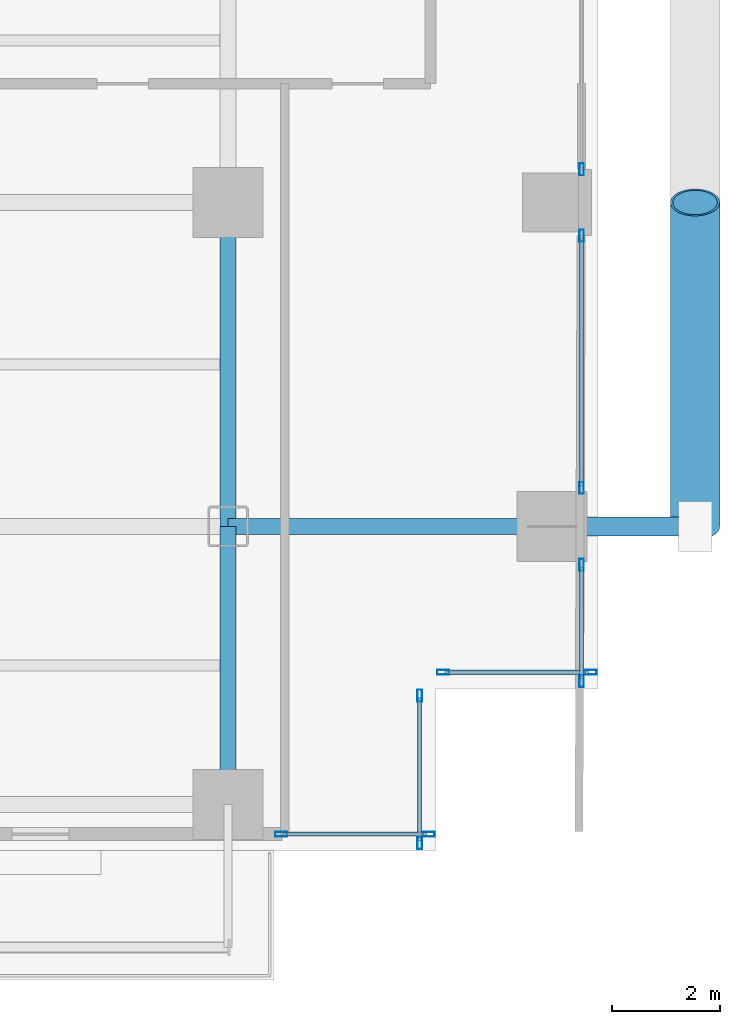
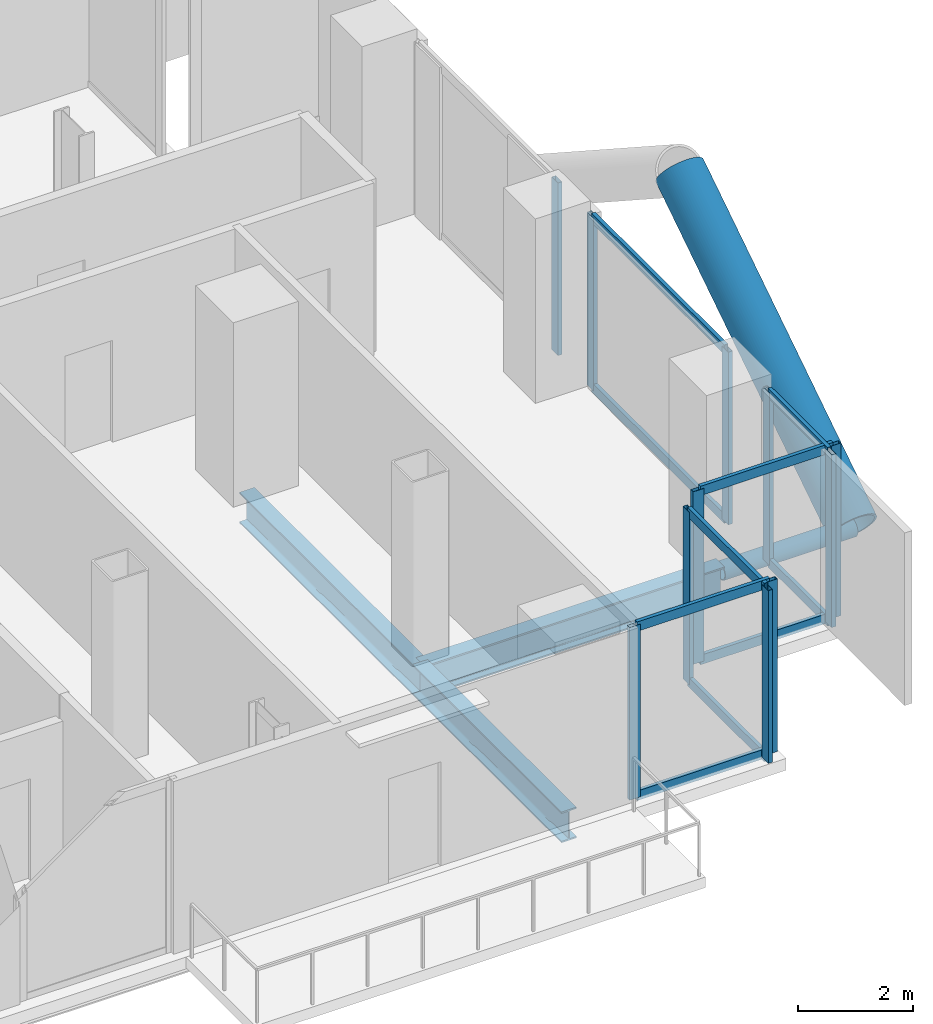
# One storey, part 10 of 27: 23 members, 3 beams, 6 elements without a shape of their own.
"""IFC4 building model written with IfcOpenShell, lengths in metres."""

from ifc_helpers import new_model, si_unit, direction, frame, origin, origin_2d, place, context, subcontext, project, spatial, hollow_rectangle, hollow_circle, i_section, extrude, material, layer, layer_set, material_profile, profile_set, type_object, element, aggregate, save


model = new_model("IFC4")

# Units and contexts
model_context = context("Model", 3, precision=1e-05, world=origin(), true_north=direction((0.0, 1.0)))
body_context = subcontext(model_context, "Body", "Model", "MODEL_VIEW")
ifc_project = project(units=[si_unit("LENGTHUNIT", "METRE"), si_unit("AREAUNIT", "SQUARE_METRE"), si_unit("VOLUMEUNIT", "CUBIC_METRE"), si_unit("PLANEANGLEUNIT", "RADIAN"), si_unit("MASSUNIT", "GRAM", prefix="KILO"), si_unit("THERMODYNAMICTEMPERATUREUNIT", "KELVIN"), si_unit("POWERUNIT", "WATT")], contexts=[model_context])

# Site, building, storey
site_placement = place(None, origin())
site = spatial("IfcSite", under=ifc_project, at=site_placement, CompositionType="ELEMENT")
building_placement = place(site_placement, origin())
building = spatial("IfcBuilding", under=site, at=building_placement, Name="Svarakhadi Broadcast Tower", CompositionType="ELEMENT")
storey_placement = place(building_placement, frame((0.0, 0.0, 55.800048828125)))
storey = spatial("IfcBuildingStorey", under=building, at=storey_placement, Name="L12", CompositionType="ELEMENT", Elevation=55.800048828125)

# Curtain wall, member
ifc_material_1 = material(Name="Anodised Bronze Aluminium AA 6063-T6", Category="aluminium")
ifc_layer = layer(ifc_material_1, 0.219970703125)
ifc_layer_set = layer_set([ifc_layer], Name="Anodised Bronze Aluminium AA 6063-T6")
curtain_wall_type = type_object("IfcCurtainWallType", Name="CW_Sys_02", PredefinedType="NOTDEFINED", material=ifc_layer_set)
curtain_wall_1_placement = place(storey_placement, origin())
curtain_wall_1 = element("IfcCurtainWall", 1, at=curtain_wall_1_placement, inside=storey, type_object=curtain_wall_type, Name="L12 Unitised Facade Curtain Wall 13 Bay 2", PredefinedType="NOTDEFINED")
ifc_material_profile_1 = material_profile(ifc_material_1, hollow_rectangle(XDim=0.0849609375, YDim=0.219970703125, WallThickness=0.006103515625, at=origin_2d()), Name="ALU MULLION 220x85x6")
ifc_profile_set_1 = profile_set([ifc_material_profile_1], Name="Anodised Bronze Aluminium AA 6063-T6")
member_type_1 = type_object("IfcMemberType", Name="CW_Sys_02_Mul", PredefinedType="MULLION", material=ifc_profile_set_1)
member_1_placement = place(storey_placement, frame((53.699951171875, 12.612548828125, 0.0), z_axis=(0.0, 0.0, 1.0), x_axis=(1.0, 0.0, 0.0)))
member_1 = element("IfcMember", 2, at=member_1_placement, type_object=member_type_1, Name="CW-02 mullion 2", PredefinedType="MULLION", context=body_context, shape_type="SweptSolid", body=[
    extrude(hollow_rectangle(XDim=0.0849609375, YDim=0.219970703125, WallThickness=0.006103515625, at=origin_2d()), origin(), (0.0, 0.0, 1.0), 3.64990234375),
])
aggregate(curtain_wall_1, [member_1])

# Curtain wall, members
curtain_wall_2_placement = place(storey_placement, origin())
curtain_wall_2 = element("IfcCurtainWall", 3, at=curtain_wall_2_placement, inside=storey, type_object=curtain_wall_type, Name="L12 Unitised Facade Curtain Wall 13 Bay 3", PredefinedType="NOTDEFINED")
member_2_placement = place(storey_placement, frame((53.699951171875, 11.387451171875, 0.0), z_axis=(0.0, 0.0, 1.0), x_axis=(1.0, 0.0, 0.0)))
member_2 = element("IfcMember", 4, at=member_2_placement, type_object=member_type_1, Name="CW-02 mullion 1", PredefinedType="MULLION", context=body_context, shape_type="SweptSolid", body=[
    extrude(hollow_rectangle(XDim=0.0849609375, YDim=0.219970703125, WallThickness=0.006103515625, at=origin_2d()), origin(), (0.0, 0.0, 1.0), 3.64990234375),
])
member_3_placement = place(storey_placement, frame((53.699951171875, 6.71240234375, 0.0), z_axis=(0.0, 0.0, 1.0), x_axis=(1.0, 0.0, 0.0)))
member_3 = element("IfcMember", 5, at=member_3_placement, type_object=member_type_1, Name="CW-02 mullion 2", PredefinedType="MULLION", context=body_context, shape_type="SweptSolid", body=[
    extrude(hollow_rectangle(XDim=0.0849609375, YDim=0.219970703125, WallThickness=0.006103515625, at=origin_2d()), origin(), (0.0, 0.0, 1.0), 3.64990234375),
])

curtain_wall_3_placement = place(storey_placement, origin())
curtain_wall_3 = element("IfcCurtainWall", 6, at=curtain_wall_3_placement, inside=storey, type_object=curtain_wall_type, Name="L12 Unitised Facade Curtain Wall 13 Bay 4", PredefinedType="NOTDEFINED")
member_4_placement = place(storey_placement, frame((53.699951171875, 5.28759765625, 0.0), z_axis=(0.0, 0.0, 1.0), x_axis=(1.0, 0.0, 0.0)))
member_4 = element("IfcMember", 7, at=member_4_placement, type_object=member_type_1, Name="CW-02 mullion 1", PredefinedType="MULLION", context=body_context, shape_type="SweptSolid", body=[
    extrude(hollow_rectangle(XDim=0.0849609375, YDim=0.219970703125, WallThickness=0.006103515625, at=origin_2d()), origin(), (0.0, 0.0, 1.0), 3.64990234375),
])
member_5_placement = place(storey_placement, frame((53.699951171875, 3.132568359375, 0.0), z_axis=(0.0, 0.0, 1.0), x_axis=(1.0, 0.0, 0.0)))
member_5 = element("IfcMember", 8, at=member_5_placement, type_object=member_type_1, Name="CW-02 mullion 2", PredefinedType="MULLION", context=body_context, shape_type="SweptSolid", body=[
    extrude(hollow_rectangle(XDim=0.0849609375, YDim=0.219970703125, WallThickness=0.006103515625, at=origin_2d()), origin(), (0.0, 0.0, 1.0), 3.64990234375),
])

curtain_wall_4_placement = place(storey_placement, origin())
curtain_wall_4 = element("IfcCurtainWall", 9, at=curtain_wall_4_placement, inside=storey, type_object=curtain_wall_type, Name="L12 Unitised Facade Curtain Wall 14", PredefinedType="NOTDEFINED")
member_6_placement = place(storey_placement, frame((53.867431640625, 3.300048828125, 0.0), z_axis=(0.0, 0.0, 1.0), x_axis=(0.0, -1.0, 0.0)))
member_6 = element("IfcMember", 10, at=member_6_placement, type_object=member_type_1, Name="CW-02 mullion 1", PredefinedType="MULLION", context=body_context, shape_type="SweptSolid", body=[
    extrude(hollow_rectangle(XDim=0.0849609375, YDim=0.219970703125, WallThickness=0.006103515625, at=origin_2d()), origin(), (0.0, 0.0, 1.0), 3.64990234375),
])
member_7_placement = place(storey_placement, frame((51.132568359375, 3.300048828125, 0.0), z_axis=(0.0, 0.0, 1.0), x_axis=(0.0, -1.0, 0.0)))
member_7 = element("IfcMember", 11, at=member_7_placement, type_object=member_type_1, Name="CW-02 mullion 2", PredefinedType="MULLION", context=body_context, shape_type="SweptSolid", body=[
    extrude(hollow_rectangle(XDim=0.0849609375, YDim=0.219970703125, WallThickness=0.006103515625, at=origin_2d()), origin(), (0.0, 0.0, 1.0), 3.64990234375),
])

curtain_wall_5_placement = place(storey_placement, origin())
curtain_wall_5 = element("IfcCurtainWall", 12, at=curtain_wall_5_placement, inside=storey, type_object=curtain_wall_type, Name="L12 Unitised Facade Curtain Wall 15", PredefinedType="NOTDEFINED")
member_8_placement = place(storey_placement, frame((50.699951171875, 2.867431640625, 0.0), z_axis=(0.0, 0.0, 1.0), x_axis=(1.0, 0.0, 0.0)))
member_8 = element("IfcMember", 13, at=member_8_placement, type_object=member_type_1, Name="CW-02 mullion 1", PredefinedType="MULLION", context=body_context, shape_type="SweptSolid", body=[
    extrude(hollow_rectangle(XDim=0.0849609375, YDim=0.219970703125, WallThickness=0.006103515625, at=origin_2d()), origin(), (0.0, 0.0, 1.0), 3.64990234375),
])
member_9_placement = place(storey_placement, frame((50.699951171875, 0.132568359375, 0.0), z_axis=(0.0, 0.0, 1.0), x_axis=(1.0, 0.0, 0.0)))
member_9 = element("IfcMember", 14, at=member_9_placement, type_object=member_type_1, Name="CW-02 mullion 2", PredefinedType="MULLION", context=body_context, shape_type="SweptSolid", body=[
    extrude(hollow_rectangle(XDim=0.0849609375, YDim=0.219970703125, WallThickness=0.006103515625, at=origin_2d()), origin(), (0.0, 0.0, 1.0), 3.64990234375),
])

curtain_wall_6_placement = place(storey_placement, origin())
curtain_wall_6 = element("IfcCurtainWall", 15, at=curtain_wall_6_placement, inside=storey, type_object=curtain_wall_type, Name="L12 South Curtain Wall 16", PredefinedType="NOTDEFINED")
member_10_placement = place(storey_placement, frame((50.867431640625, 0.300048828125, 0.0), z_axis=(0.0, 0.0, 1.0), x_axis=(0.0, -1.0, 0.0)))
member_10 = element("IfcMember", 16, at=member_10_placement, type_object=member_type_1, Name="CW-02 mullion 1", PredefinedType="MULLION", context=body_context, shape_type="SweptSolid", body=[
    extrude(hollow_rectangle(XDim=0.0849609375, YDim=0.219970703125, WallThickness=0.006103515625, at=origin_2d()), origin(), (0.0, 0.0, 1.0), 3.64990234375),
])
member_11_placement = place(storey_placement, frame((48.132568359375, 0.300048828125, 0.0), z_axis=(0.0, 0.0, 1.0), x_axis=(0.0, -1.0, 0.0)))
member_11 = element("IfcMember", 17, at=member_11_placement, type_object=member_type_1, Name="CW-02 mullion 2", PredefinedType="MULLION", context=body_context, shape_type="SweptSolid", body=[
    extrude(hollow_rectangle(XDim=0.0849609375, YDim=0.219970703125, WallThickness=0.006103515625, at=origin_2d()), origin(), (0.0, 0.0, 1.0), 3.64990234375),
])

# Member
ifc_material_profile_2 = material_profile(ifc_material_1, hollow_rectangle(XDim=0.074951171875, YDim=0.199951171875, WallThickness=0.0048828125, at=origin_2d()), Name="ALU TRANSOM 200x75x5")
ifc_profile_set_2 = profile_set([ifc_material_profile_2], Name="Anodised Bronze Aluminium AA 6063-T6")
member_type_2 = type_object("IfcMemberType", Name="CW_Sys_02_Trn", PredefinedType="USERDEFINED", material=ifc_profile_set_2)
member_12_placement = place(storey_placement, frame((53.699951171875, 11.344970703125, 0.037353515625), z_axis=(0.0, -1.0, 0.0), x_axis=(1.0, 0.0, 0.0)))
member_12 = element("IfcMember", 18, at=member_12_placement, type_object=member_type_2, Name="CW-02 transom 1.1", ObjectType="TRANSOM", PredefinedType="USERDEFINED", context=body_context, shape_type="SweptSolid", body=[
    extrude(hollow_rectangle(XDim=0.074951171875, YDim=0.199951171875, WallThickness=0.0048828125, at=origin_2d()), origin(), (0.0, 0.0, 1.0), 4.590087890625),
])

member_13_placement = place(storey_placement, frame((53.699951171875, 11.344970703125, 3.612548828125), z_axis=(0.0, -1.0, 0.0), x_axis=(1.0, 0.0, 0.0)))
member_13 = element("IfcMember", 19, at=member_13_placement, type_object=member_type_2, Name="CW-02 transom 1.2", ObjectType="TRANSOM", PredefinedType="USERDEFINED", context=body_context, shape_type="SweptSolid", body=[
    extrude(hollow_rectangle(XDim=0.074951171875, YDim=0.199951171875, WallThickness=0.0048828125, at=origin_2d()), origin(), (0.0, 0.0, 1.0), 4.590087890625),
])

aggregate(curtain_wall_2, [member_2, member_3, member_12, member_13])

member_14_placement = place(storey_placement, frame((53.699951171875, 5.2451171875, 0.037353515625), z_axis=(0.0, -1.0, 0.0), x_axis=(1.0, 0.0, 0.0)))
member_14 = element("IfcMember", 20, at=member_14_placement, type_object=member_type_2, Name="CW-02 transom 1.1", ObjectType="TRANSOM", PredefinedType="USERDEFINED", context=body_context, shape_type="SweptSolid", body=[
    extrude(hollow_rectangle(XDim=0.074951171875, YDim=0.199951171875, WallThickness=0.0048828125, at=origin_2d()), origin(), (0.0, 0.0, 1.0), 2.070068359375),
])

member_15_placement = place(storey_placement, frame((53.699951171875, 5.2451171875, 3.612548828125), z_axis=(0.0, -1.0, 0.0), x_axis=(1.0, 0.0, 0.0)))
member_15 = element("IfcMember", 21, at=member_15_placement, type_object=member_type_2, Name="CW-02 transom 1.2", ObjectType="TRANSOM", PredefinedType="USERDEFINED", context=body_context, shape_type="SweptSolid", body=[
    extrude(hollow_rectangle(XDim=0.074951171875, YDim=0.199951171875, WallThickness=0.0048828125, at=origin_2d()), origin(), (0.0, 0.0, 1.0), 2.070068359375),
])

aggregate(curtain_wall_3, [member_4, member_5, member_14, member_15])

member_16_placement = place(storey_placement, frame((53.824951171875, 3.300048828125, 0.037353515625), z_axis=(-1.0, 0.0, 0.0), x_axis=(0.0, -1.0, 0.0)))
member_16 = element("IfcMember", 22, at=member_16_placement, type_object=member_type_2, Name="CW-02 transom 1.1", ObjectType="TRANSOM", PredefinedType="USERDEFINED", context=body_context, shape_type="SweptSolid", body=[
    extrude(hollow_rectangle(XDim=0.074951171875, YDim=0.199951171875, WallThickness=0.0048828125, at=origin_2d()), origin(), (0.0, 0.0, 1.0), 2.64990234375),
])

member_17_placement = place(storey_placement, frame((53.824951171875, 3.300048828125, 3.612548828125), z_axis=(-1.0, 0.0, 0.0), x_axis=(0.0, -1.0, 0.0)))
member_17 = element("IfcMember", 23, at=member_17_placement, type_object=member_type_2, Name="CW-02 transom 1.2", ObjectType="TRANSOM", PredefinedType="USERDEFINED", context=body_context, shape_type="SweptSolid", body=[
    extrude(hollow_rectangle(XDim=0.074951171875, YDim=0.199951171875, WallThickness=0.0048828125, at=origin_2d()), origin(), (0.0, 0.0, 1.0), 2.64990234375),
])

aggregate(curtain_wall_4, [member_6, member_7, member_16, member_17])

member_18_placement = place(storey_placement, frame((50.699951171875, 2.824951171875, 0.037353515625), z_axis=(0.0, -1.0, 0.0), x_axis=(1.0, 0.0, 0.0)))
member_18 = element("IfcMember", 24, at=member_18_placement, type_object=member_type_2, Name="CW-02 transom 1.1", ObjectType="TRANSOM", PredefinedType="USERDEFINED", context=body_context, shape_type="SweptSolid", body=[
    extrude(hollow_rectangle(XDim=0.074951171875, YDim=0.199951171875, WallThickness=0.0048828125, at=origin_2d()), origin(), (0.0, 0.0, 1.0), 2.64990234375),
])

member_19_placement = place(storey_placement, frame((50.699951171875, 2.824951171875, 3.612548828125), z_axis=(0.0, -1.0, 0.0), x_axis=(1.0, 0.0, 0.0)))
member_19 = element("IfcMember", 25, at=member_19_placement, type_object=member_type_2, Name="CW-02 transom 1.2", ObjectType="TRANSOM", PredefinedType="USERDEFINED", context=body_context, shape_type="SweptSolid", body=[
    extrude(hollow_rectangle(XDim=0.074951171875, YDim=0.199951171875, WallThickness=0.0048828125, at=origin_2d()), origin(), (0.0, 0.0, 1.0), 2.64990234375),
])

aggregate(curtain_wall_5, [member_8, member_9, member_18, member_19])

member_20_placement = place(storey_placement, frame((50.824951171875, 0.300048828125, 0.037353515625), z_axis=(-1.0, 0.0, 0.0), x_axis=(0.0, -1.0, 0.0)))
member_20 = element("IfcMember", 26, at=member_20_placement, type_object=member_type_2, Name="CW-02 transom 1.1", ObjectType="TRANSOM", PredefinedType="USERDEFINED", context=body_context, shape_type="SweptSolid", body=[
    extrude(hollow_rectangle(XDim=0.074951171875, YDim=0.199951171875, WallThickness=0.0048828125, at=origin_2d()), origin(), (0.0, 0.0, 1.0), 2.64990234375),
])

member_21_placement = place(storey_placement, frame((50.824951171875, 0.300048828125, 3.612548828125), z_axis=(-1.0, 0.0, 0.0), x_axis=(0.0, -1.0, 0.0)))
member_21 = element("IfcMember", 27, at=member_21_placement, type_object=member_type_2, Name="CW-02 transom 1.2", ObjectType="TRANSOM", PredefinedType="USERDEFINED", context=body_context, shape_type="SweptSolid", body=[
    extrude(hollow_rectangle(XDim=0.074951171875, YDim=0.199951171875, WallThickness=0.0048828125, at=origin_2d()), origin(), (0.0, 0.0, 1.0), 2.64990234375),
])

aggregate(curtain_wall_6, [member_10, member_11, member_20, member_21])

# Members
ifc_material_2 = material(Name="Steel S460ML (IS 2062 E450BR)", Category="steel")
ifc_material_profile_3 = material_profile(ifc_material_2, hollow_circle(Radius=0.45703125, WallThickness=0.044921875, at=origin_2d()), Name="CHS 914x45")
ifc_profile_set_3 = profile_set([ifc_material_profile_3], Name="Steel S460ML (IS 2062 E450BR)")
member_type_3 = type_object("IfcMemberType", Name="Exo_Brace_CHS914", PredefinedType="BRACE", material=ifc_profile_set_3)
member_22_placement = place(storey_placement, frame((55.800048828125, 6.0, -0.427734375), z_axis=(0.0, 0.838449851971, 0.544978757136), x_axis=(-1.0, 0.0, 0.0)))
element("IfcMember", 28, at=member_22_placement, inside=storey, type_object=member_type_3, Name="L12 Exposed Bronze Exoskeleton Diagonal E10", PredefinedType="BRACE", context=body_context, shape_type="SweptSolid", body=[
    extrude(hollow_circle(Radius=0.45703125, WallThickness=0.044921875, at=origin_2d()), origin(), (0.0, 0.0, 1.0), 7.156005859375),
])
ifc_material_profile_4 = material_profile(ifc_material_2, hollow_circle(Radius=0.177734375, WallThickness=0.02001953125, at=origin_2d()), Name="CHS 355.6x20")
ifc_profile_set_4 = profile_set([ifc_material_profile_4], Name="Steel S460ML (IS 2062 E450BR)")
member_type_4 = type_object("IfcMemberType", Name="Exo_Radial_Strut_Z1", PredefinedType="STRUT", material=ifc_profile_set_4)
member_23_placement = place(storey_placement, frame((55.800048828125, 6.0, -0.427734375), z_axis=(-1.0, 0.0, 0.0), x_axis=(0.0, -1.0, 0.0)))
element("IfcMember", 29, at=member_23_placement, inside=storey, type_object=member_type_4, Name="L12 Exoskeleton Radial Tie Strut E09", PredefinedType="STRUT", context=body_context, shape_type="SweptSolid", body=[
    extrude(hollow_circle(Radius=0.177734375, WallThickness=0.02001953125, at=origin_2d()), origin(), (0.0, 0.0, 1.0), 2.650146484375),
])

# Beams
ifc_material_3 = material(Name="Steel S355J2 (IS 2062 E350C)", Category="steel")
ifc_material_profile_5 = material_profile(ifc_material_3, i_section(OverallWidth=0.300048828125, OverallDepth=0.64990234375, WebThickness=0.01611328125, FlangeThickness=0.031005859375, FilletRadius=0.027099609375, at=origin_2d()), Name="WPB 650x300x225")
ifc_profile_set_5 = profile_set([ifc_material_profile_5], Name="Steel S355J2 (IS 2062 E350C)")
beam_type = type_object("IfcBeamType", Name="Girder_WPB650", PredefinedType="USERDEFINED", material=ifc_profile_set_5)
beam_1_placement = place(storey_placement, frame((47.14990234375, 6.0, -0.574951171875), z_axis=(1.0, 0.0, 0.0), x_axis=(0.0, 1.0, 0.0)))
element("IfcBeam", 30, at=beam_1_placement, inside=storey, type_object=beam_type, Name="L12 Primary E-W Girder G018", ObjectType="GIRDER", PredefinedType="USERDEFINED", context=body_context, shape_type="SweptSolid", body=[
    extrude(i_section(OverallWidth=0.300048828125, OverallDepth=0.64990234375, WebThickness=0.01611328125, FlangeThickness=0.031005859375, FilletRadius=0.027099609375, at=origin_2d()), origin(), (0.0, 0.0, 1.0), 6.0),
])
beam_2_placement = place(storey_placement, frame((47.14990234375, 0.85009765625, -0.574951171875), z_axis=(0.0, 1.0, 0.0), x_axis=(-1.0, 0.0, 0.0)))
element("IfcBeam", 31, at=beam_2_placement, inside=storey, type_object=beam_type, Name="L12 Primary N-S Girder G082", ObjectType="GIRDER", PredefinedType="USERDEFINED", context=body_context, shape_type="SweptSolid", body=[
    extrude(i_section(OverallWidth=0.300048828125, OverallDepth=0.64990234375, WebThickness=0.01611328125, FlangeThickness=0.031005859375, FilletRadius=0.027099609375, at=origin_2d()), origin(), (0.0, 0.0, 1.0), 5.14990234375),
])
beam_3_placement = place(storey_placement, frame((47.14990234375, 6.0, -0.574951171875), z_axis=(0.0, 1.0, 0.0), x_axis=(-1.0, 0.0, 0.0)))
element("IfcBeam", 32, at=beam_3_placement, inside=storey, type_object=beam_type, Name="L12 Primary N-S Girder G083", ObjectType="GIRDER", PredefinedType="USERDEFINED", context=body_context, shape_type="SweptSolid", body=[
    extrude(i_section(OverallWidth=0.300048828125, OverallDepth=0.64990234375, WebThickness=0.01611328125, FlangeThickness=0.031005859375, FilletRadius=0.027099609375, at=origin_2d()), origin(), (0.0, 0.0, 1.0), 6.0),
])

save(model, "model.ifc")
